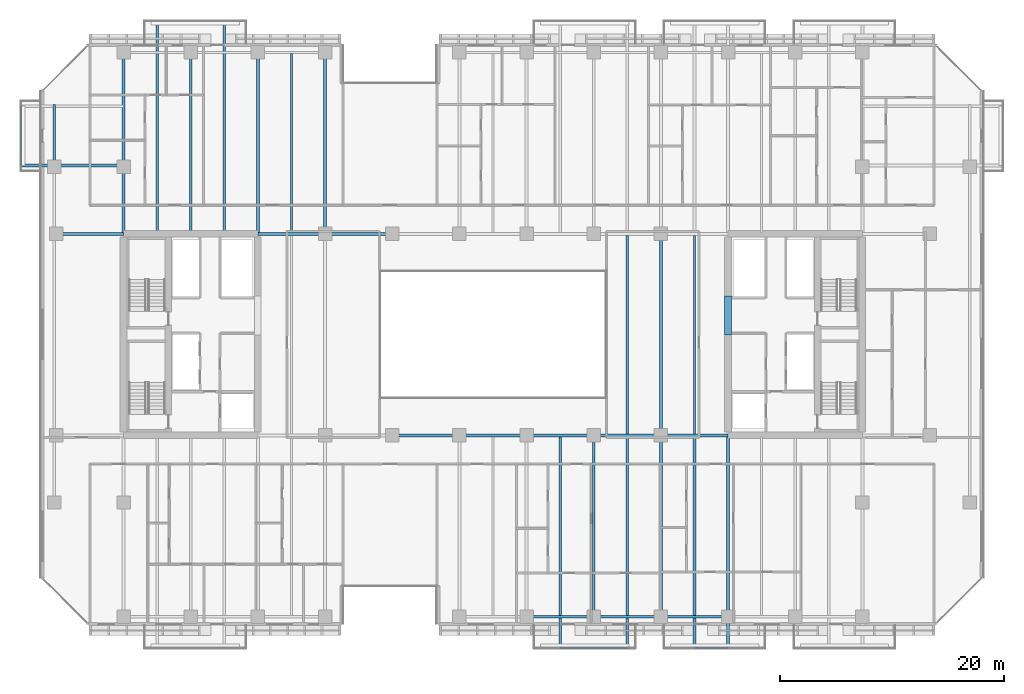
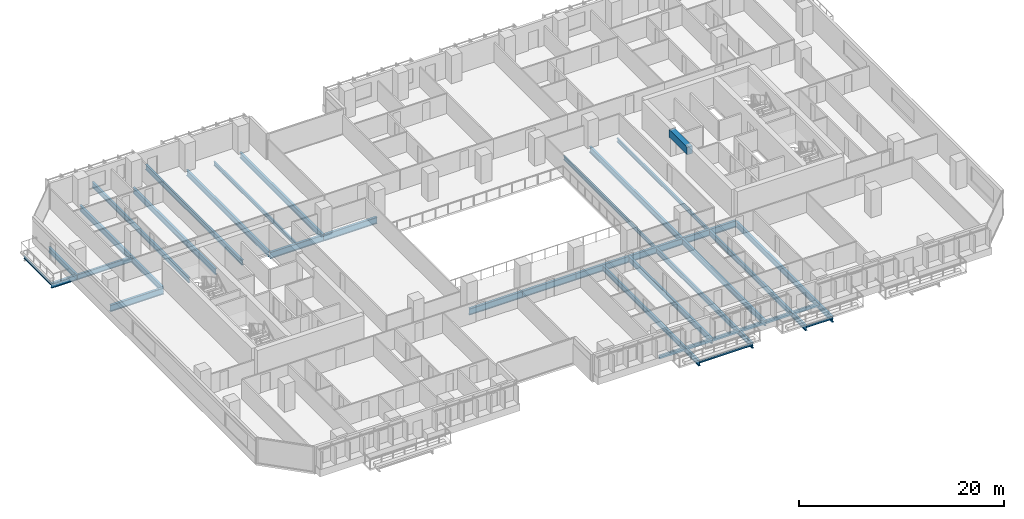
# One storey, part 7 of 33: 33 beams.
"""IFC4 building model written with IfcOpenShell, lengths in metres."""

from ifc_helpers import new_model, si_unit, direction, frame, origin, origin_2d, place, context, subcontext, project, spatial, rectangle, hollow_rectangle, i_section, extrude, material, material_profile, profile_set, type_object, element, save


model = new_model("IFC4")

# Units and contexts
model_context = context("Model", 3, precision=1e-05, world=origin(), true_north=direction((0.0, 1.0)))
body_context = subcontext(model_context, "Body", "Model", "MODEL_VIEW")
ifc_project = project(units=[si_unit("LENGTHUNIT", "METRE"), si_unit("AREAUNIT", "SQUARE_METRE"), si_unit("VOLUMEUNIT", "CUBIC_METRE"), si_unit("PLANEANGLEUNIT", "RADIAN"), si_unit("MASSUNIT", "GRAM", prefix="KILO")], contexts=[model_context])

# Site, building, storey
site_placement = place(None, origin())
site = spatial("IfcSite", under=ifc_project, at=site_placement, CompositionType="ELEMENT")
building_placement = place(site_placement, origin())
building = spatial("IfcBuilding", under=site, at=building_placement, Name="Tanjung Sevakor Pilgrim Tower", CompositionType="ELEMENT")
storey_placement = place(building_placement, frame((0.0, 0.0, 52.139892578125)))
storey = spatial("IfcBuildingStorey", under=building, at=storey_placement, Name="L14", CompositionType="ELEMENT", Elevation=52.139892578125)

# Beams
ifc_material_1 = material(Name="Steel S355J2", Category="steel")
ifc_material_profile_1 = material_profile(ifc_material_1, i_section(OverallWidth=0.26806640625, OverallDepth=0.769775390625, WebThickness=0.015625, FlangeThickness=0.025390625, FilletRadius=0.0166015625, at=origin_2d()))
ifc_profile_set_1 = profile_set([ifc_material_profile_1], Name="Steel S355J2")
beam_type_1 = type_object("IfcBeamType", Name="BM-B-G1-UB_762x267x197", PredefinedType="BEAM", material=ifc_profile_set_1)
for number, where, z_axis, x_axis, name in (
    (1, (48.0, 24.60009765625, -0.604736328125), (1.0, 0.0, 0.0), (0.0, 1.0, 0.0), "L14 Primary Floor Girder MAIN Y246-04"),
    (2, (54.0, 24.60009765625, -0.604736328125), (1.0, 0.0, 0.0), (0.0, 1.0, 0.0), "L14 Primary Floor Girder MAIN Y246-05"),
    (3, (60.0, 24.60009765625, -0.604736328125), (1.0, 0.0, 0.0), (0.0, 1.0, 0.0), "L14 Primary Floor Girder MAIN Y246-06"),
    (4, (66.0, 24.60009765625, -0.604736328125), (1.0, 0.0, 0.0), (0.0, 1.0, 0.0), "L14 Primary Floor Girder MAIN Y246-07"),
    (5, (72.0, 24.60009765625, -0.604736328125), (1.0, 0.0, 0.0), (0.0, 1.0, 0.0), "L14 Primary Floor Girder MAIN Y246-08"),
    (6, (18.0, 42.60009765625, -0.604736328125), (1.0, 0.0, 0.0), (0.0, 1.0, 0.0), "L14 Primary Floor Girder MAIN Y426-01"),
    (7, (36.0, 42.60009765625, -0.604736328125), (1.0, 0.0, 0.0), (0.0, 1.0, 0.0), "L14 Primary Floor Girder MAIN Y426-02"),
    (8, (42.0, 42.60009765625, -0.604736328125), (1.0, 0.0, 0.0), (0.0, 1.0, 0.0), "L14 Primary Floor Girder MAIN Y426-03"),
):
    element("IfcBeam", number, at=place(storey_placement, frame(where, z_axis=z_axis, x_axis=x_axis)), inside=storey, type_object=beam_type_1, Name=name, PredefinedType="BEAM", context=body_context, shape_type="SweptSolid", body=[
        extrude(i_section(OverallWidth=0.26806640625, OverallDepth=0.769775390625, WebThickness=0.015625, FlangeThickness=0.025390625, FilletRadius=0.0166015625, at=origin_2d()), origin(), (0.0, 0.0, 1.0), 6.0),
    ])
ifc_material_2 = material(Name="Steel S355J2", Category="steel")
ifc_material_profile_2 = material_profile(ifc_material_2, i_section(OverallWidth=0.25439453125, OverallDepth=0.6875, WebThickness=0.01318359375, FlangeThickness=0.02099609375, FilletRadius=0.01513671875, at=origin_2d()))
ifc_profile_set_2 = profile_set([ifc_material_profile_2], Name="Steel S355J2")
beam_type_2 = type_object("IfcBeamType", Name="BM-B-G2-UB_686x254x152", PredefinedType="BEAM", material=ifc_profile_set_2)
for number, where, z_axis, x_axis, name in (
    (9, (24.0, 42.73388671875, -0.5634765625), (0.0, 1.0, 0.0), (-1.0, 0.0, 0.0), "L14 MAIN Girder 002"),
    (10, (30.0, 42.73388671875, -0.5634765625), (0.0, 1.0, 0.0), (-1.0, 0.0, 0.0), "L14 MAIN Girder 004"),
    (11, (36.0, 42.73388671875, -0.5634765625), (0.0, 1.0, 0.0), (-1.0, 0.0, 0.0), "L14 MAIN Girder 006"),
):
    element("IfcBeam", number, at=place(storey_placement, frame(where, z_axis=z_axis, x_axis=x_axis)), inside=storey, type_object=beam_type_2, Name=name, PredefinedType="BEAM", context=body_context, shape_type="SweptSolid", body=[
        extrude(i_section(OverallWidth=0.25439453125, OverallDepth=0.6875, WebThickness=0.01318359375, FlangeThickness=0.02099609375, FilletRadius=0.01513671875, at=origin_2d()), origin(), (0.0, 0.0, 1.0), 16.066162109375),
    ])
beam_1_placement = place(storey_placement, frame((42.0, 42.60009765625, -0.5634765625), z_axis=(0.0, 1.0, 0.0), x_axis=(-1.0, 0.0, 0.0)))
element("IfcBeam", 12, at=beam_1_placement, inside=storey, type_object=beam_type_2, Name="L14 MAIN Girder 012", PredefinedType="BEAM", context=body_context, shape_type="SweptSolid", body=[
    extrude(i_section(OverallWidth=0.25439453125, OverallDepth=0.6875, WebThickness=0.01318359375, FlangeThickness=0.02099609375, FilletRadius=0.01513671875, at=origin_2d()), origin(), (0.0, 0.0, 1.0), 16.199951171875),
])
for number, where, z_axis, x_axis, name in (
    (13, (66.0, 8.39990234375, -0.5634765625), (0.0, 1.0, 0.0), (-1.0, 0.0, 0.0), "L14 MAIN Girder 019"),
    (14, (72.0, 8.39990234375, -0.5634765625), (0.0, 1.0, 0.0), (-1.0, 0.0, 0.0), "L14 MAIN Girder 022"),
):
    element("IfcBeam", number, at=place(storey_placement, frame(where, z_axis=z_axis, x_axis=x_axis)), inside=storey, type_object=beam_type_2, Name=name, PredefinedType="BEAM", context=body_context, shape_type="SweptSolid", body=[
        extrude(i_section(OverallWidth=0.25439453125, OverallDepth=0.6875, WebThickness=0.01318359375, FlangeThickness=0.02099609375, FilletRadius=0.01513671875, at=origin_2d()), origin(), (0.0, 0.0, 1.0), 16.2001953125),
    ])
beam_2_placement = place(storey_placement, frame((72.0, 24.60009765625, -0.5634765625), z_axis=(0.0, 1.0, 0.0), x_axis=(-1.0, 0.0, 0.0)))
element("IfcBeam", 15, at=beam_2_placement, inside=storey, type_object=beam_type_2, Name="L14 MAIN Girder 023", PredefinedType="BEAM", context=body_context, shape_type="SweptSolid", body=[
    extrude(i_section(OverallWidth=0.25439453125, OverallDepth=0.6875, WebThickness=0.01318359375, FlangeThickness=0.02099609375, FilletRadius=0.01513671875, at=origin_2d()), origin(), (0.0, 0.0, 1.0), 18.0),
])
beam_3_placement = place(storey_placement, frame((78.0, 24.466064453125, -0.5634765625), z_axis=(0.0, -1.0, 0.0), x_axis=(1.0, 0.0, 0.0)))
element("IfcBeam", 16, at=beam_3_placement, inside=storey, type_object=beam_type_2, Name="L14 Balcony Cantilever Beam MAIN-S3-2", PredefinedType="BEAM", context=body_context, shape_type="SweptSolid", body=[
    extrude(i_section(OverallWidth=0.25439453125, OverallDepth=0.6875, WebThickness=0.01318359375, FlangeThickness=0.02099609375, FilletRadius=0.01513671875, at=origin_2d()), origin(), (0.0, 0.0, 1.0), 18.845947265625),
])
ifc_material_3 = material(Name="Steel S355J2", Category="steel")
ifc_material_profile_3 = material_profile(ifc_material_3, i_section(OverallWidth=0.22900390625, OverallDepth=0.6123046875, WebThickness=0.011962890625, FlangeThickness=0.01953125, FilletRadius=0.0126953125, at=origin_2d()))
ifc_profile_set_3 = profile_set([ifc_material_profile_3], Name="Steel S355J2")
beam_type_3 = type_object("IfcBeamType", Name="BM-B-G4-UB_610x229x125", PredefinedType="BEAM", material=ifc_profile_set_3)
beam_4_placement = place(storey_placement, frame((17.800048828125, 48.60009765625, -0.52587890625), z_axis=(0.0, 1.0, 0.0), x_axis=(-1.0, 0.0, 0.0)))
element("IfcBeam", 17, at=beam_4_placement, inside=storey, type_object=beam_type_3, Name="L14 Short-End Edge Extension N-W", PredefinedType="BEAM", context=body_context, shape_type="SweptSolid", body=[
    extrude(i_section(OverallWidth=0.22900390625, OverallDepth=0.6123046875, WebThickness=0.011962890625, FlangeThickness=0.01953125, FilletRadius=0.0126953125, at=origin_2d()), origin(), (0.0, 0.0, 1.0), 5.5498046875),
])
beam_5_placement = place(storey_placement, frame((24.0, 48.699951171875, -0.52587890625), z_axis=(-1.0, 0.0, 0.0), x_axis=(0.0, -1.0, 0.0)))
element("IfcBeam", 18, at=beam_5_placement, inside=storey, type_object=beam_type_3, Name="L14 Balcony Overhanging Beam MAIN-W1-1", PredefinedType="BEAM", context=body_context, shape_type="SweptSolid", body=[
    extrude(i_section(OverallWidth=0.22900390625, OverallDepth=0.6123046875, WebThickness=0.011962890625, FlangeThickness=0.01953125, FilletRadius=0.0126953125, at=origin_2d()), origin(), (0.0, 0.0, 1.0), 9.1298828125),
])
for number, where, z_axis, x_axis, name in (
    (19, (27.0, 42.73388671875, -0.52587890625), (0.0, 1.0, 0.0), (-1.0, 0.0, 0.0), "L14 Balcony Cantilever Beam MAIN-N1-1"),
    (20, (33.0, 42.73388671875, -0.52587890625), (0.0, 1.0, 0.0), (-1.0, 0.0, 0.0), "L14 Balcony Cantilever Beam MAIN-N1-2"),
):
    element("IfcBeam", number, at=place(storey_placement, frame(where, z_axis=z_axis, x_axis=x_axis)), inside=storey, type_object=beam_type_3, Name=name, PredefinedType="BEAM", context=body_context, shape_type="SweptSolid", body=[
        extrude(i_section(OverallWidth=0.22900390625, OverallDepth=0.6123046875, WebThickness=0.011962890625, FlangeThickness=0.01953125, FilletRadius=0.0126953125, at=origin_2d()), origin(), (0.0, 0.0, 1.0), 18.84619140625),
    ])
for number, where, z_axis, x_axis, name in (
    (21, (63.0, 24.466064453125, -0.52587890625), (0.0, -1.0, 0.0), (1.0, 0.0, 0.0), "L14 Balcony Cantilever Beam MAIN-S2-1"),
    (22, (69.0, 24.466064453125, -0.52587890625), (0.0, -1.0, 0.0), (1.0, 0.0, 0.0), "L14 Balcony Cantilever Beam MAIN-S2-2"),
    (23, (75.0, 24.466064453125, -0.52587890625), (0.0, -1.0, 0.0), (1.0, 0.0, 0.0), "L14 Balcony Cantilever Beam MAIN-S3-1"),
):
    element("IfcBeam", number, at=place(storey_placement, frame(where, z_axis=z_axis, x_axis=x_axis)), inside=storey, type_object=beam_type_3, Name=name, PredefinedType="BEAM", context=body_context, shape_type="SweptSolid", body=[
        extrude(i_section(OverallWidth=0.22900390625, OverallDepth=0.6123046875, WebThickness=0.011962890625, FlangeThickness=0.01953125, FilletRadius=0.0126953125, at=origin_2d()), origin(), (0.0, 0.0, 1.0), 18.845947265625),
    ])
ifc_material_4 = material(Name="Steel S355J2", Category="steel")
ifc_material_profile_4 = material_profile(ifc_material_4, i_section(OverallWidth=0.19140625, OverallDepth=0.4599609375, WebThickness=0.010009765625, FlangeThickness=0.01611328125, FilletRadius=0.01025390625, at=origin_2d()))
ifc_profile_set_4 = profile_set([ifc_material_profile_4], Name="Steel S355J2")
beam_type_4 = type_object("IfcBeamType", Name="BM-B-J2-UB_457x191x82", PredefinedType="JOIST", material=ifc_profile_set_4)
beam_6_placement = place(storey_placement, frame((39.0, 42.73388671875, -0.449951171875), z_axis=(0.0, 1.0, 0.0), x_axis=(-1.0, 0.0, 0.0)))
element("IfcBeam", 24, at=beam_6_placement, inside=storey, type_object=beam_type_4, Name="L14 MAIN Joist 009", PredefinedType="JOIST", context=body_context, shape_type="SweptSolid", body=[
    extrude(i_section(OverallWidth=0.19140625, OverallDepth=0.4599609375, WebThickness=0.010009765625, FlangeThickness=0.01611328125, FilletRadius=0.01025390625, at=origin_2d()), origin(), (0.0, 0.0, 1.0), 15.966064453125),
])
for number, where, z_axis, x_axis, name in (
    (25, (69.0, 24.73388671875, -0.449951171875), (0.0, 1.0, 0.0), (-1.0, 0.0, 0.0), "L14 MAIN Joist 021"),
    (26, (75.0, 24.73388671875, -0.449951171875), (0.0, 1.0, 0.0), (-1.0, 0.0, 0.0), "L14 MAIN Joist 025"),
):
    element("IfcBeam", number, at=place(storey_placement, frame(where, z_axis=z_axis, x_axis=x_axis)), inside=storey, type_object=beam_type_4, Name=name, PredefinedType="JOIST", context=body_context, shape_type="SweptSolid", body=[
        extrude(i_section(OverallWidth=0.19140625, OverallDepth=0.4599609375, WebThickness=0.010009765625, FlangeThickness=0.01611328125, FilletRadius=0.01025390625, at=origin_2d()), origin(), (0.0, 0.0, 1.0), 17.732177734375),
    ])
ifc_material_5 = material(Name="Steel S355J2", Category="steel")
ifc_material_profile_5 = material_profile(ifc_material_5, i_section(OverallWidth=0.146484375, OverallDepth=0.256103515625, WebThickness=0.00634765625, FlangeThickness=0.010986328125, FilletRadius=0.007568359375, at=origin_2d()))
ifc_profile_set_5 = profile_set([ifc_material_profile_5], Name="Steel S355J2")
beam_type_5 = type_object("IfcBeamType", Name="BM-B-J6-UB_254x146x37", PredefinedType="JOIST", material=ifc_profile_set_5)
beam_7_placement = place(storey_placement, frame((63.0, 5.6201171875, -0.327880859375), z_axis=(1.0, 0.0, 0.0), x_axis=(0.0, 1.0, 0.0)))
element("IfcBeam", 27, at=beam_7_placement, inside=storey, type_object=beam_type_5, Name="L14 Balcony Rim Tie MAIN-S2", PredefinedType="JOIST", context=body_context, shape_type="SweptSolid", body=[
    extrude(i_section(OverallWidth=0.146484375, OverallDepth=0.256103515625, WebThickness=0.00634765625, FlangeThickness=0.010986328125, FilletRadius=0.007568359375, at=origin_2d()), origin(), (0.0, 0.0, 1.0), 6.0),
])
beam_8_placement = place(storey_placement, frame((75.0, 5.6201171875, -0.327880859375), z_axis=(1.0, 0.0, 0.0), x_axis=(0.0, 1.0, 0.0)))
element("IfcBeam", 28, at=beam_8_placement, inside=storey, type_object=beam_type_5, Name="L14 Balcony Rim Tie MAIN-S3", PredefinedType="JOIST", context=body_context, shape_type="SweptSolid", body=[
    extrude(i_section(OverallWidth=0.146484375, OverallDepth=0.256103515625, WebThickness=0.00634765625, FlangeThickness=0.010986328125, FilletRadius=0.007568359375, at=origin_2d()), origin(), (0.0, 0.0, 1.0), 3.0),
])
beam_9_placement = place(storey_placement, frame((14.8701171875, 48.699951171875, -0.327880859375), z_axis=(0.0, 1.0, 0.0), x_axis=(-1.0, 0.0, 0.0)))
element("IfcBeam", 29, at=beam_9_placement, inside=storey, type_object=beam_type_5, Name="L14 Balcony Rim Tie MAIN-W1", PredefinedType="JOIST", context=body_context, shape_type="SweptSolid", body=[
    extrude(i_section(OverallWidth=0.146484375, OverallDepth=0.256103515625, WebThickness=0.00634765625, FlangeThickness=0.010986328125, FilletRadius=0.007568359375, at=origin_2d()), origin(), (0.0, 0.0, 1.0), 5.300048828125),
])
ifc_material_6 = material(Name="Concrete C60/75", Category="concrete")
ifc_material_profile_6 = material_profile(ifc_material_6, rectangle(XDim=0.60009765625, YDim=0.89990234375, at=origin_2d()))
ifc_profile_set_6 = profile_set([ifc_material_profile_6], Name="Concrete C60/75")
beam_type_6 = type_object("IfcBeamType", Name="BM-B-LN1-RC-BM_600x900", PredefinedType="LINTEL", material=ifc_profile_set_6)
beam_10_placement = place(storey_placement, frame((78.0, 33.550048828125, 2.630126953125), z_axis=(0.0, 1.0, 0.0), x_axis=(-1.0, 0.0, 0.0)))
element("IfcBeam", 30, at=beam_10_placement, inside=storey, type_object=beam_type_6, Name="L14 E Core Coupling Lintel", PredefinedType="LINTEL", context=body_context, shape_type="SweptSolid", body=[
    extrude(rectangle(XDim=0.60009765625, YDim=0.89990234375, at=origin_2d()), origin(), (0.0, 0.0, 1.0), 3.5),
])
ifc_material_7 = material(Name="Steel S355J2", Category="steel")
ifc_material_profile_7 = material_profile(ifc_material_7, hollow_rectangle(XDim=0.199951171875, YDim=0.39990234375, WallThickness=0.01611328125, at=origin_2d()))
ifc_profile_set_7 = profile_set([ifc_material_profile_7], Name="Steel S355J2")
beam_type_7 = type_object("IfcBeamType", Name="BM-B-SP2-RHS_400x200x16", PredefinedType="SPANDREL", material=ifc_profile_set_7)
for number, where, z_axis, x_axis, name in (
    (31, (60.0, 8.39990234375, -0.419921875), (1.0, 0.0, 0.0), (0.0, 1.0, 0.0), "L14 Spandrel MAIN S-09"),
    (32, (66.0, 8.39990234375, -0.419921875), (1.0, 0.0, 0.0), (0.0, 1.0, 0.0), "L14 Spandrel MAIN S-11"),
    (33, (72.0, 8.39990234375, -0.419921875), (1.0, 0.0, 0.0), (0.0, 1.0, 0.0), "L14 Spandrel MAIN S-13"),
):
    element("IfcBeam", number, at=place(storey_placement, frame(where, z_axis=z_axis, x_axis=x_axis)), inside=storey, type_object=beam_type_7, Name=name, PredefinedType="SPANDREL", context=body_context, shape_type="SweptSolid", body=[
        extrude(hollow_rectangle(XDim=0.199951171875, YDim=0.39990234375, WallThickness=0.01611328125, at=origin_2d()), origin(), (0.0, 0.0, 1.0), 6.0),
    ])

save(model, "model.ifc")
